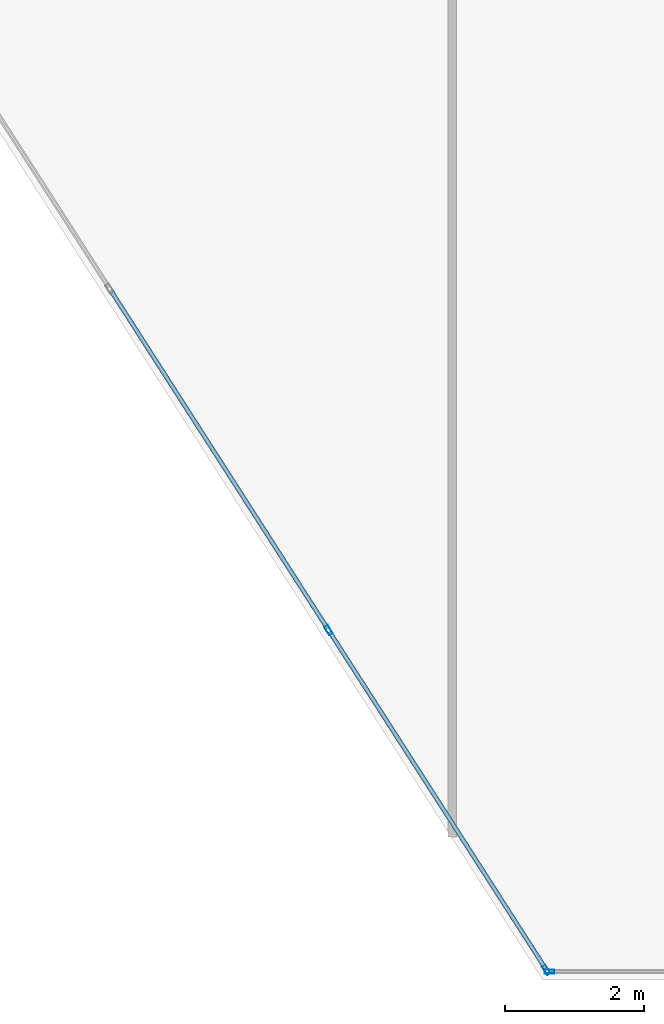
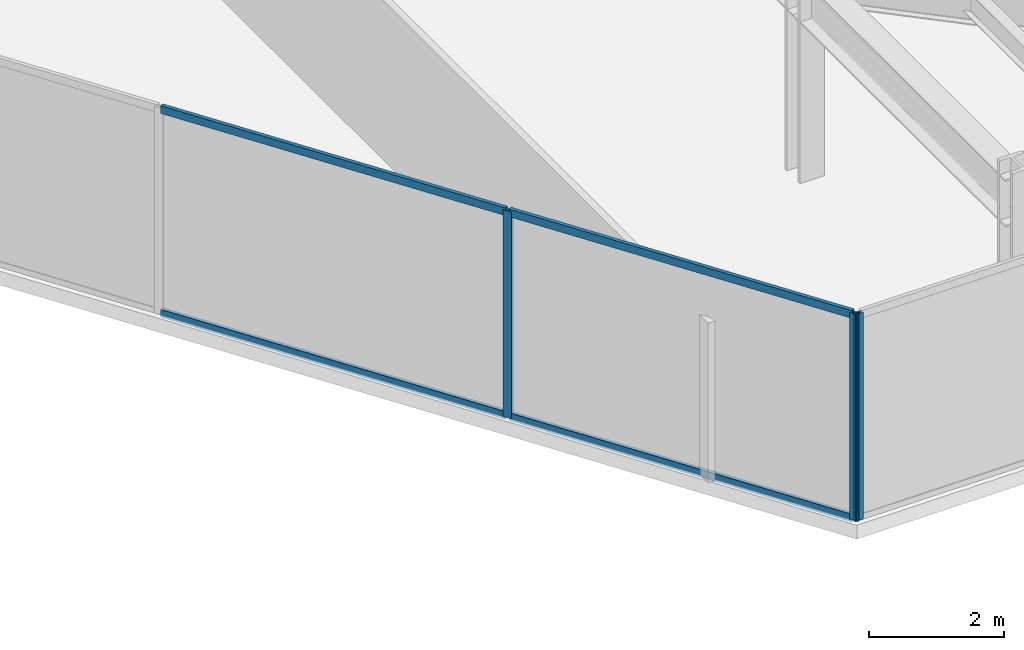
# One storey, part 15 of 26: 7 members, 2 elements without a shape of their own.
"""IFC4 building model written with IfcOpenShell, lengths in metres."""

from ifc_helpers import new_model, si_unit, direction, frame, origin, origin_2d, place, context, subcontext, project, spatial, hollow_rectangle, extrude, material, layer, layer_set, material_profile, profile_set, type_object, element, aggregate, save


model = new_model("IFC4")

# Units and contexts
model_context = context("Model", 3, precision=1e-05, world=origin(), true_north=direction((0.0, 1.0)))
body_context = subcontext(model_context, "Body", "Model", "MODEL_VIEW")
ifc_project = project(units=[si_unit("LENGTHUNIT", "METRE"), si_unit("AREAUNIT", "SQUARE_METRE"), si_unit("VOLUMEUNIT", "CUBIC_METRE"), si_unit("PLANEANGLEUNIT", "RADIAN"), si_unit("MASSUNIT", "GRAM", prefix="KILO")], contexts=[model_context])

# Site, building, storey
site_placement = place(None, origin())
site = spatial("IfcSite", under=ifc_project, at=site_placement, CompositionType="ELEMENT")
building_placement = place(site_placement, origin())
building = spatial("IfcBuilding", under=site, at=building_placement, Name="Kravanh Interchange Tower", CompositionType="ELEMENT")
storey_placement = place(building_placement, frame((0.0, 0.0, 144.0)))
storey = spatial("IfcBuildingStorey", under=building, at=storey_placement, Name="L34", CompositionType="ELEMENT", Elevation=144.0)

# Curtain wall, member
ifc_material_1 = material(Name="Anodised Bronze Aluminium", Category="aluminium")
ifc_layer = layer(ifc_material_1, 0.179931640625)
ifc_layer_set = layer_set([ifc_layer], Name="Unitised Curtain Wall System CW-Z2 Mid Office")
curtain_wall_type = type_object("IfcCurtainWallType", Name="Unitised Curtain Wall System CW-Z2 Mid Office", PredefinedType="NOTDEFINED", material=ifc_layer_set)
curtain_wall_1_placement = place(storey_placement, origin())
curtain_wall_1 = element("IfcCurtainWall", 1, at=curtain_wall_1_placement, inside=storey, type_object=curtain_wall_type, Name="L34 Unitised Curtain Wall CW-L34-03", PredefinedType="NOTDEFINED")
ifc_material_2 = material(Name="Anodised Bronze Aluminium", Category="aluminium")
ifc_material_profile_1 = material_profile(ifc_material_2, hollow_rectangle(XDim=0.06005859375, YDim=0.139892578125, WallThickness=0.00390625, at=origin_2d()), Name="ALU60X140X4")
ifc_profile_set_1 = profile_set([ifc_material_profile_1], Name="Anodised Bronze Aluminium")
member_type_1 = type_object("IfcMemberType", Name="Curtain Wall Mullion ALU60X140X4 Bronze", PredefinedType="MULLION", material=ifc_profile_set_1)
member_1_placement = place(storey_placement, frame((52.195556640625, 6.320068359375, 0.0), z_axis=(0.0, 0.0, 1.0), x_axis=(0.0, -1.0, 0.0)))
member_1 = element("IfcMember", 2, at=member_1_placement, type_object=member_type_1, Name="CW-Z2 mullion 3", PredefinedType="MULLION", context=body_context, shape_type="SweptSolid", body=[
    extrude(hollow_rectangle(XDim=0.06005859375, YDim=0.139892578125, WallThickness=0.00390625, at=origin_2d()), origin(), (0.0, 0.0, 1.0), 3.75),
])
aggregate(curtain_wall_1, [member_1])

# Curtain wall, members
curtain_wall_2_placement = place(storey_placement, origin())
curtain_wall_2 = element("IfcCurtainWall", 3, at=curtain_wall_2_placement, inside=storey, type_object=curtain_wall_type, Name="L34 Unitised Curtain Wall CW-L34-04", PredefinedType="NOTDEFINED")
member_2_placement = place(storey_placement, frame((52.1494140625, 6.34521484375, 0.0), z_axis=(0.0, 0.0, 1.0), x_axis=(-0.841879939476, -0.539664865919, 0.0)))
member_2 = element("IfcMember", 4, at=member_2_placement, type_object=member_type_1, Name="CW-Z2 mullion 1", PredefinedType="MULLION", context=body_context, shape_type="SweptSolid", body=[
    extrude(hollow_rectangle(XDim=0.06005859375, YDim=0.139892578125, WallThickness=0.00390625, at=origin_2d()), origin(), (0.0, 0.0, 1.0), 3.75),
])
member_3_placement = place(storey_placement, frame((49.024169921875, 11.220703125, 0.0), z_axis=(0.0, 0.0, 1.0), x_axis=(-0.841879939476, -0.539664865919, 0.0)))
member_3 = element("IfcMember", 5, at=member_3_placement, type_object=member_type_1, Name="CW-Z2 mullion 2", PredefinedType="MULLION", context=body_context, shape_type="SweptSolid", body=[
    extrude(hollow_rectangle(XDim=0.06005859375, YDim=0.139892578125, WallThickness=0.00390625, at=origin_2d()), origin(), (0.0, 0.0, 1.0), 3.75),
])
ifc_material_3 = material(Name="Anodised Bronze Aluminium", Category="aluminium")
ifc_material_profile_2 = material_profile(ifc_material_3, hollow_rectangle(XDim=0.06005859375, YDim=0.139892578125, WallThickness=0.00390625, at=origin_2d()), Name="ALU60X140X4")
ifc_profile_set_2 = profile_set([ifc_material_profile_2], Name="Anodised Bronze Aluminium")
member_type_2 = type_object("IfcMemberType", Name="Curtain Wall Transom ALU60X140X4 Bronze", PredefinedType="USERDEFINED", material=ifc_profile_set_2)
member_4_placement = place(storey_placement, frame((52.13330078125, 6.37060546875, 0.030029296875), z_axis=(-0.539697855812, 0.841858791266, 0.0), x_axis=(-0.841858791266, -0.539697855812, 0.0)))
member_4 = element("IfcMember", 6, at=member_4_placement, type_object=member_type_2, Name="CW-Z2 transom 1.1", ObjectType="TRANSOM", PredefinedType="USERDEFINED", context=body_context, shape_type="SweptSolid", body=[
    extrude(hollow_rectangle(XDim=0.06005859375, YDim=0.139892578125, WallThickness=0.00390625, at=origin_2d()), origin(), (0.0, 0.0, 1.0), 5.73095703125),
])
member_5_placement = place(storey_placement, frame((52.13330078125, 6.37060546875, 3.719970703125), z_axis=(-0.539697855812, 0.841858791266, 0.0), x_axis=(-0.841858791266, -0.539697855812, 0.0)))
member_5 = element("IfcMember", 7, at=member_5_placement, type_object=member_type_2, Name="CW-Z2 transom 1.2", ObjectType="TRANSOM", PredefinedType="USERDEFINED", context=body_context, shape_type="SweptSolid", body=[
    extrude(hollow_rectangle(XDim=0.06005859375, YDim=0.139892578125, WallThickness=0.00390625, at=origin_2d()), origin(), (0.0, 0.0, 1.0), 5.73095703125),
])
member_6_placement = place(storey_placement, frame((49.008056640625, 11.245849609375, 0.030029296875), z_axis=(-0.539677666788, 0.84187173368, 0.0), x_axis=(-0.84187173368, -0.539677666788, 0.0)))
member_6 = element("IfcMember", 8, at=member_6_placement, type_object=member_type_2, Name="CW-Z2 transom 2.1", ObjectType="TRANSOM", PredefinedType="USERDEFINED", context=body_context, shape_type="SweptSolid", body=[
    extrude(hollow_rectangle(XDim=0.06005859375, YDim=0.139892578125, WallThickness=0.00390625, at=origin_2d()), origin(), (0.0, 0.0, 1.0), 5.760986328125),
])
member_7_placement = place(storey_placement, frame((49.008056640625, 11.245849609375, 3.719970703125), z_axis=(-0.539677666788, 0.84187173368, 0.0), x_axis=(-0.84187173368, -0.539677666788, 0.0)))
member_7 = element("IfcMember", 9, at=member_7_placement, type_object=member_type_2, Name="CW-Z2 transom 2.2", ObjectType="TRANSOM", PredefinedType="USERDEFINED", context=body_context, shape_type="SweptSolid", body=[
    extrude(hollow_rectangle(XDim=0.06005859375, YDim=0.139892578125, WallThickness=0.00390625, at=origin_2d()), origin(), (0.0, 0.0, 1.0), 5.760986328125),
])
aggregate(curtain_wall_2, [member_2, member_3, member_4, member_5, member_6, member_7])

save(model, "model.ifc")
